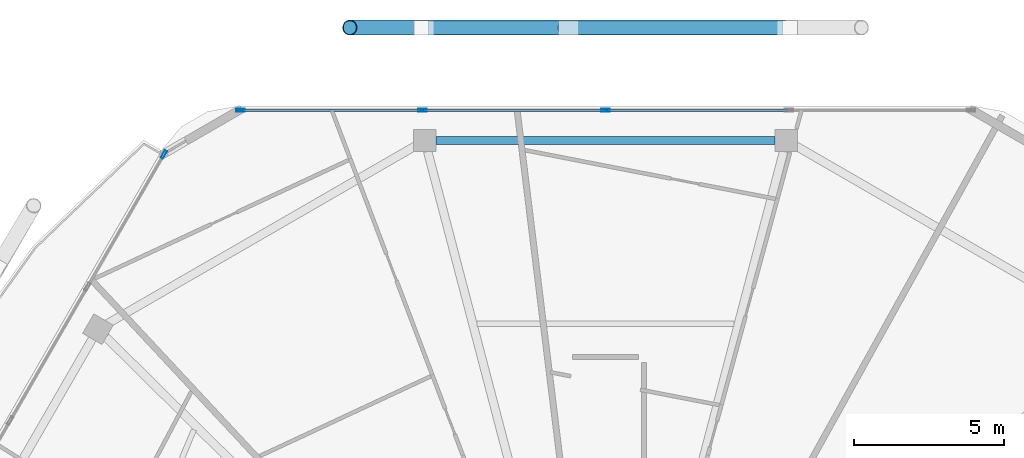
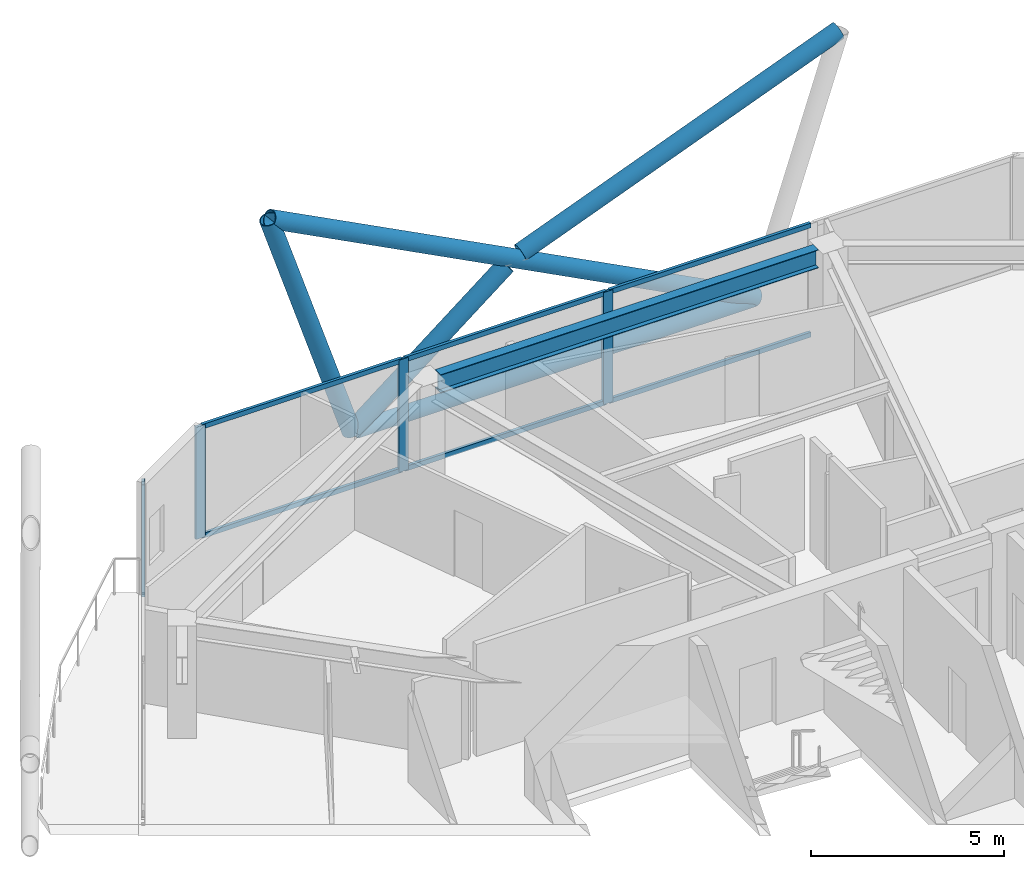
# One storey, part 12 of 24: 15 members, 1 beam, 2 elements without a shape of their own.
"""IFC4 building model written with IfcOpenShell, lengths in metres."""

from ifc_helpers import new_model, si_unit, direction, frame, origin, origin_2d, place, context, subcontext, project, spatial, hollow_rectangle, hollow_circle, i_section, extrude, material, material_profile, profile_set, type_object, element, aggregate, save


model = new_model("IFC4")

# Units and contexts
model_context = context("Model", 3, precision=1e-05, world=origin(), true_north=direction((0.0, 1.0)))
body_context = subcontext(model_context, "Body", "Model", "MODEL_VIEW")
ifc_project = project(units=[si_unit("LENGTHUNIT", "METRE"), si_unit("AREAUNIT", "SQUARE_METRE"), si_unit("VOLUMEUNIT", "CUBIC_METRE"), si_unit("PLANEANGLEUNIT", "RADIAN"), si_unit("MASSUNIT", "GRAM", prefix="KILO")], contexts=[model_context])

# Site, building, storey
site_placement = place(None, origin())
site = spatial("IfcSite", under=ifc_project, at=site_placement, CompositionType="ELEMENT")
building_placement = place(site_placement, origin())
building = spatial("IfcBuilding", under=site, at=building_placement, Name="Zuhravey Tower", CompositionType="ELEMENT")
storey_placement = place(building_placement, frame((0.0, 0.0, 338.60009765625)))
storey = spatial("IfcBuildingStorey", under=building, at=storey_placement, Name="L86", CompositionType="ELEMENT", Elevation=338.60009765625)

# Curtain wall, member
ifc_material_1 = material(Name="Thermally broken anodised aluminium", Category="aluminium")
curtain_wall_type = type_object("IfcCurtainWallType", Name="Zone 3-4 High-Rise Curtain Wall CW4", PredefinedType="NOTDEFINED", material=ifc_material_1)
curtain_wall_1_placement = place(storey_placement, origin())
curtain_wall_1 = element("IfcCurtainWall", 1, at=curtain_wall_1_placement, inside=storey, type_object=curtain_wall_type, Name="L86 CW4 CW-L86-F3-2", PredefinedType="NOTDEFINED")
ifc_material_2 = material(Name="Anodised aluminium", Category="aluminium")
ifc_material_profile_1 = material_profile(ifc_material_2, hollow_rectangle(XDim=0.090087890625, YDim=0.284912109375, WallThickness=0.0048828125, at=origin_2d()), Name="ALU-RHS-90x285x5")
ifc_profile_set_1 = profile_set([ifc_material_profile_1], Name="Anodised aluminium")
member_type_1 = type_object("IfcMemberType", Name="Curtain-Wall Mullion 90x180", PredefinedType="MULLION", material=ifc_profile_set_1)
member_1_placement = place(storey_placement, frame((21.248291015625, 54.59765625, 0.0), z_axis=(0.0, 0.0, 1.0), x_axis=(-0.866023853797, 0.500002684647, 0.0)))
member_1 = element("IfcMember", 2, at=member_1_placement, type_object=member_type_1, Name="CW4 mullion 4", PredefinedType="MULLION", context=body_context, shape_type="SweptSolid", body=[
    extrude(hollow_rectangle(XDim=0.090087890625, YDim=0.284912109375, WallThickness=0.0048828125, at=origin_2d()), origin(), (0.0, 0.0, 1.0), 3.5498046875),
])
aggregate(curtain_wall_1, [member_1])

# Curtain wall, members
curtain_wall_2_placement = place(storey_placement, origin())
curtain_wall_2 = element("IfcCurtainWall", 3, at=curtain_wall_2_placement, inside=storey, type_object=curtain_wall_type, Name="L86 CW4 CW-L86-F2-1", PredefinedType="NOTDEFINED")
member_2_placement = place(storey_placement, frame((23.8056640625, 56.07421875, 0.0), z_axis=(0.0, 0.0, 1.0), x_axis=(0.0, 1.0, 0.0)))
member_2 = element("IfcMember", 4, at=member_2_placement, type_object=member_type_1, Name="CW4 mullion 1", PredefinedType="MULLION", context=body_context, shape_type="SweptSolid", body=[
    extrude(hollow_rectangle(XDim=0.090087890625, YDim=0.284912109375, WallThickness=0.0048828125, at=origin_2d()), origin(), (0.0, 0.0, 1.0), 3.5498046875),
])
member_3_placement = place(storey_placement, frame((29.88037109375, 56.07421875, 0.0), z_axis=(0.0, 0.0, 1.0), x_axis=(0.0, 1.0, 0.0)))
member_3 = element("IfcMember", 5, at=member_3_placement, type_object=member_type_1, Name="CW4 mullion 2", PredefinedType="MULLION", context=body_context, shape_type="SweptSolid", body=[
    extrude(hollow_rectangle(XDim=0.090087890625, YDim=0.284912109375, WallThickness=0.0048828125, at=origin_2d()), origin(), (0.0, 0.0, 1.0), 3.5498046875),
])
member_4_placement = place(storey_placement, frame((36.0, 56.07421875, 0.0), z_axis=(0.0, 0.0, 1.0), x_axis=(0.0, 1.0, 0.0)))
member_4 = element("IfcMember", 6, at=member_4_placement, type_object=member_type_1, Name="CW4 mullion 3", PredefinedType="MULLION", context=body_context, shape_type="SweptSolid", body=[
    extrude(hollow_rectangle(XDim=0.090087890625, YDim=0.284912109375, WallThickness=0.0048828125, at=origin_2d()), origin(), (0.0, 0.0, 1.0), 3.5498046875),
])
ifc_material_profile_2 = material_profile(ifc_material_2, hollow_rectangle(XDim=0.090087890625, YDim=0.14990234375, WallThickness=0.0048828125, at=origin_2d()), Name="ALU-RHS-90x150x5")
ifc_profile_set_2 = profile_set([ifc_material_profile_2], Name="Anodised aluminium")
member_type_2 = type_object("IfcMemberType", Name="Curtain-Wall Transom 90x150", PredefinedType="USERDEFINED", material=ifc_profile_set_2)
member_5_placement = place(storey_placement, frame((23.8505859375, 56.07421875, 0.044921875), z_axis=(1.0, 0.0, 0.0), x_axis=(0.0, 1.0, 0.0)))
member_5 = element("IfcMember", 7, at=member_5_placement, type_object=member_type_2, Name="CW4 transom 1.1", ObjectType="TRANSOM", PredefinedType="USERDEFINED", context=body_context, shape_type="SweptSolid", body=[
    extrude(hollow_rectangle(XDim=0.090087890625, YDim=0.14990234375, WallThickness=0.0048828125, at=origin_2d()), origin(), (0.0, 0.0, 1.0), 5.98486328125),
])
member_6_placement = place(storey_placement, frame((23.8505859375, 56.07421875, 3.5048828125), z_axis=(1.0, 0.0, 0.0), x_axis=(0.0, 1.0, 0.0)))
member_6 = element("IfcMember", 8, at=member_6_placement, type_object=member_type_2, Name="CW4 transom 1.2", ObjectType="TRANSOM", PredefinedType="USERDEFINED", context=body_context, shape_type="SweptSolid", body=[
    extrude(hollow_rectangle(XDim=0.090087890625, YDim=0.14990234375, WallThickness=0.0048828125, at=origin_2d()), origin(), (0.0, 0.0, 1.0), 5.98486328125),
])
member_7_placement = place(storey_placement, frame((29.92529296875, 56.07421875, 0.044921875), z_axis=(1.0, 0.0, 0.0), x_axis=(0.0, 1.0, 0.0)))
member_7 = element("IfcMember", 9, at=member_7_placement, type_object=member_type_2, Name="CW4 transom 2.1", ObjectType="TRANSOM", PredefinedType="USERDEFINED", context=body_context, shape_type="SweptSolid", body=[
    extrude(hollow_rectangle(XDim=0.090087890625, YDim=0.14990234375, WallThickness=0.0048828125, at=origin_2d()), origin(), (0.0, 0.0, 1.0), 6.02978515625),
])
member_8_placement = place(storey_placement, frame((29.92529296875, 56.07421875, 3.5048828125), z_axis=(1.0, 0.0, 0.0), x_axis=(0.0, 1.0, 0.0)))
member_8 = element("IfcMember", 10, at=member_8_placement, type_object=member_type_2, Name="CW4 transom 2.2", ObjectType="TRANSOM", PredefinedType="USERDEFINED", context=body_context, shape_type="SweptSolid", body=[
    extrude(hollow_rectangle(XDim=0.090087890625, YDim=0.14990234375, WallThickness=0.0048828125, at=origin_2d()), origin(), (0.0, 0.0, 1.0), 6.02978515625),
])
member_9_placement = place(storey_placement, frame((36.044921875, 56.07421875, 0.044921875), z_axis=(1.0, 0.0, 0.0), x_axis=(0.0, 1.0, 0.0)))
member_9 = element("IfcMember", 11, at=member_9_placement, type_object=member_type_2, Name="CW4 transom 3.1", ObjectType="TRANSOM", PredefinedType="USERDEFINED", context=body_context, shape_type="SweptSolid", body=[
    extrude(hollow_rectangle(XDim=0.090087890625, YDim=0.14990234375, WallThickness=0.0048828125, at=origin_2d()), origin(), (0.0, 0.0, 1.0), 6.02978515625),
])
member_10_placement = place(storey_placement, frame((36.044921875, 56.07421875, 3.5048828125), z_axis=(1.0, 0.0, 0.0), x_axis=(0.0, 1.0, 0.0)))
member_10 = element("IfcMember", 12, at=member_10_placement, type_object=member_type_2, Name="CW4 transom 3.2", ObjectType="TRANSOM", PredefinedType="USERDEFINED", context=body_context, shape_type="SweptSolid", body=[
    extrude(hollow_rectangle(XDim=0.090087890625, YDim=0.14990234375, WallThickness=0.0048828125, at=origin_2d()), origin(), (0.0, 0.0, 1.0), 6.02978515625),
])
aggregate(curtain_wall_2, [member_2, member_3, member_4, member_5, member_6, member_7, member_8, member_9, member_10])

# Members
ifc_material_3 = material(Name="Steel SM355", Category="steel")
ifc_material_profile_3 = material_profile(ifc_material_3, hollow_circle(Radius=0.228515625, WallThickness=0.02197265625, at=origin_2d()), Name="CHS-457.2x22")
ifc_profile_set_3 = profile_set([ifc_material_profile_3], Name="Steel SM355")
member_type_3 = type_object("IfcMemberType", Name="Exoskeleton Ring Tie CHS457x22", PredefinedType="CHORD", material=ifc_profile_set_3)
member_11_placement = place(storey_placement, frame((41.927490234375, 58.833984375, -0.464111328125), z_axis=(-1.0, 0.0, 0.0), x_axis=(0.0, -1.0, 0.0)))
element("IfcMember", 13, at=member_11_placement, inside=storey, type_object=member_type_3, Name="L86 Exoskeleton Face 2 Tie EXR1", PredefinedType="CHORD", context=body_context, shape_type="SweptSolid", body=[
    extrude(hollow_circle(Radius=0.228515625, WallThickness=0.02197265625, at=origin_2d()), origin(), (0.0, 0.0, 1.0), 11.85498046875),
])
ifc_material_profile_4 = material_profile(ifc_material_3, hollow_circle(Radius=0.25390625, WallThickness=0.02490234375, at=origin_2d()), Name="CHS-508.0x25")
ifc_profile_set_4 = profile_set([ifc_material_profile_4], Name="Steel SM355")
member_type_4 = type_object("IfcMemberType", Name="Exoskeleton Zone 4 Diagrid CHS508x25", PredefinedType="BRACE", material=ifc_profile_set_4)
member_12_placement = place(storey_placement, frame((42.03662109375, 58.833984375, -0.447998046875), z_axis=(-0.887240434832, 0.0, 0.461307284572), x_axis=(0.0, -1.0, 0.0)))
element("IfcMember", 14, at=member_12_placement, inside=storey, type_object=member_type_4, Name="L86 Face 2 Diagrid Brace 2", PredefinedType="BRACE", context=body_context, shape_type="SweptSolid", body=[
    extrude(hollow_circle(Radius=0.25390625, WallThickness=0.02490234375, at=origin_2d()), origin(), (0.0, 0.0, 1.0), 16.4052734375),
])
member_13_placement = place(storey_placement, frame((29.927490234375, 58.833984375, -0.447998046875), z_axis=(-0.31046285921, 0.0, 0.950585510647), x_axis=(0.0, -1.0, 0.0)))
element("IfcMember", 15, at=member_13_placement, inside=storey, type_object=member_type_4, Name="L86 Face 2 Diagrid Brace 4", PredefinedType="BRACE", context=body_context, shape_type="SweptSolid", body=[
    extrude(hollow_circle(Radius=0.25390625, WallThickness=0.02490234375, at=origin_2d()), origin(), (0.0, 0.0, 1.0), 7.961181640625),
])
member_14_placement = place(storey_placement, frame((29.9599609375, 58.833984375, -0.442626953125), z_axis=(0.785675016008, 0.0, 0.618639450101), x_axis=(0.0, 1.0, 0.0)))
element("IfcMember", 16, at=member_14_placement, inside=storey, type_object=member_type_4, Name="L86 Face 2 Split Diagrid Brace 3A", PredefinedType="BRACE", context=body_context, shape_type="SweptSolid", body=[
    extrude(hollow_circle(Radius=0.25390625, WallThickness=0.02490234375, at=origin_2d()), origin(), (0.0, 0.0, 1.0), 5.864013671875),
])
member_15_placement = place(storey_placement, frame((34.986328125, 58.833984375, 3.424072265625), z_axis=(0.93224199469, 0.0, 0.361835409179), x_axis=(0.0, 1.0, 0.0)))
element("IfcMember", 17, at=member_15_placement, inside=storey, type_object=member_type_4, Name="L86 Face 2 Split Diagrid Brace 3B", PredefinedType="BRACE", context=body_context, shape_type="SweptSolid", body=[
    extrude(hollow_circle(Radius=0.25390625, WallThickness=0.02490234375, at=origin_2d()), origin(), (0.0, 0.0, 1.0), 10.223388671875),
])

# Beam
ifc_material_profile_5 = material_profile(ifc_material_3, i_section(OverallWidth=0.280029296875, OverallDepth=0.580078125, WebThickness=0.011962890625, FlangeThickness=0.01904296875, at=origin_2d()), Name="H-580x280x12x19")
ifc_profile_set_5 = profile_set([ifc_material_profile_5], Name="Steel SM355")
beam_type = type_object("IfcBeamType", Name="Perimeter Ring Beam H580x280", PredefinedType="BEAM", material=ifc_profile_set_5)
beam_placement = place(storey_placement, frame((41.66064453125, 55.064208984375, 3.260009765625), z_axis=(-1.0, 0.0, 0.0), x_axis=(0.0, -1.0, 0.0)))
element("IfcBeam", 18, at=beam_placement, inside=storey, type_object=beam_type, Name="L86 PB4 BM-L86-PB-03", PredefinedType="BEAM", context=body_context, shape_type="SweptSolid", body=[
    extrude(i_section(OverallWidth=0.280029296875, OverallDepth=0.580078125, WebThickness=0.011962890625, FlangeThickness=0.01904296875, at=origin_2d()), origin(), (0.0, 0.0, 1.0), 11.3212890625),
])

save(model, "model.ifc")
